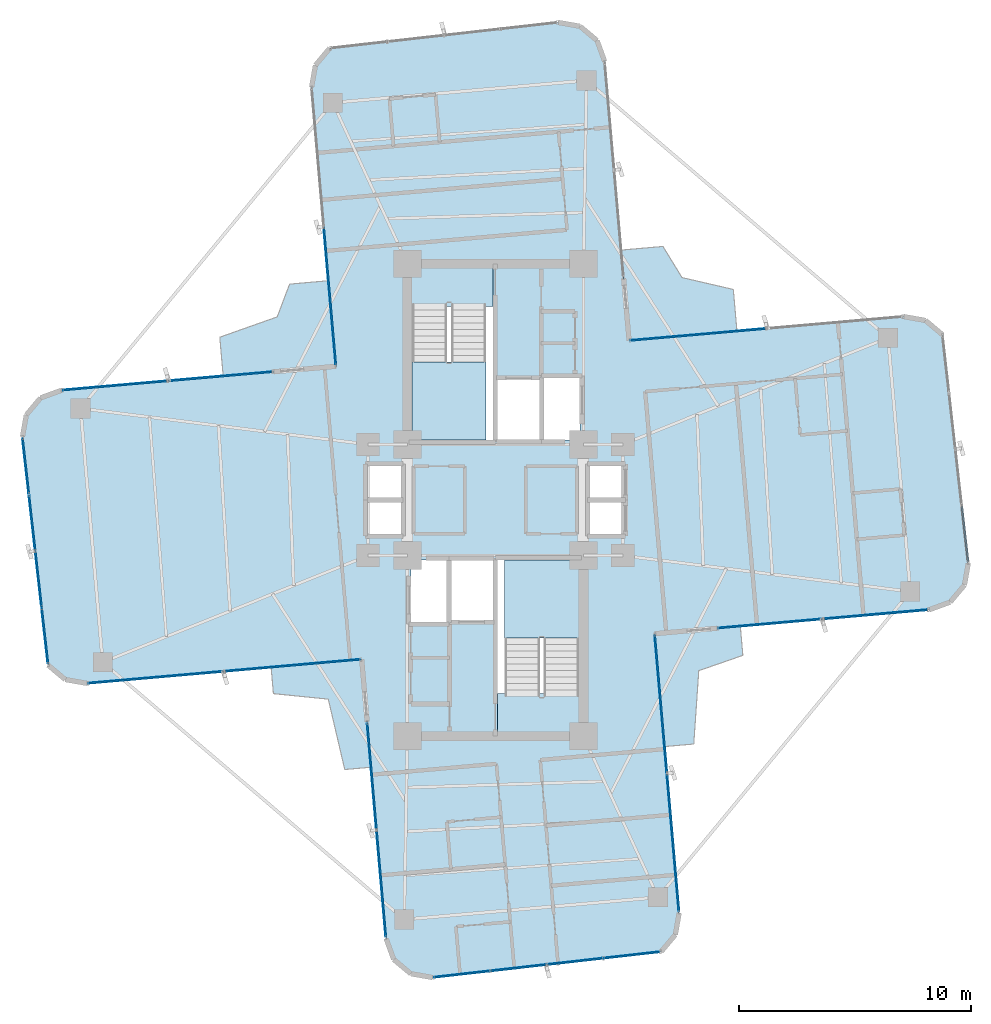
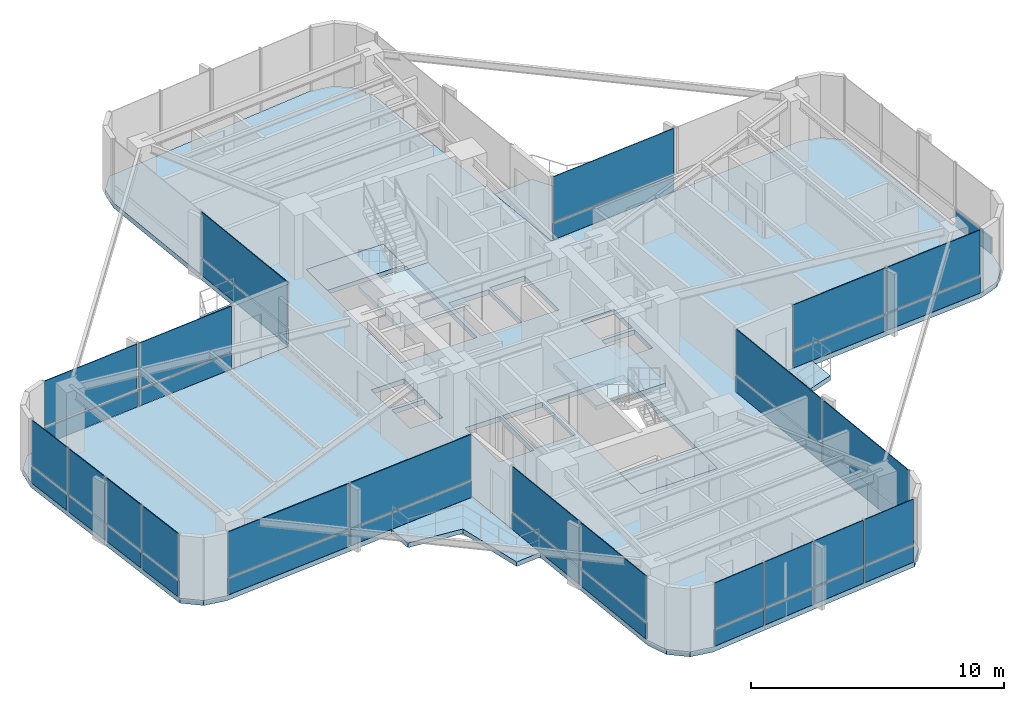
# One storey, part 19 of 24: 41 plates, 9 slabs, 12 elements without a shape of their own.
"""IFC4 building model written with IfcOpenShell, lengths in metres."""

from ifc_helpers import new_model, si_unit, direction, frame, origin, origin_2d, place, context, subcontext, project, spatial, polyline, rectangle, outline, extrude, source, transform, mapped, material, layer, layer_set, type_object, element, aggregate, save


model = new_model("IFC4")

# Units and contexts
model_context = context("Model", 3, precision=1e-05, world=origin(), true_north=direction((0.0, 1.0)))
body_context = subcontext(model_context, "Body", "Model", "MODEL_VIEW")
ifc_project = project(units=[si_unit("LENGTHUNIT", "METRE"), si_unit("AREAUNIT", "SQUARE_METRE"), si_unit("VOLUMEUNIT", "CUBIC_METRE"), si_unit("PLANEANGLEUNIT", "RADIAN"), si_unit("MASSUNIT", "GRAM", prefix="KILO")], contexts=[model_context])

# Site, building, storey
site_placement = place(None, origin())
site = spatial("IfcSite", under=ifc_project, at=site_placement, CompositionType="ELEMENT")
building_placement = place(site_placement, origin())
building = spatial("IfcBuilding", under=site, at=building_placement, Name="Sahyath Konkavel Grand Hotel", CompositionType="ELEMENT")
storey_placement = place(building_placement, frame((0.0, 0.0, 150.60009765625)))
storey = spatial("IfcBuildingStorey", under=building, at=storey_placement, Name="L41", CompositionType="ELEMENT", Elevation=150.60009765625)

# Slabs
ifc_material_1 = material(Name="Concrete C40/50", Category="concrete")
ifc_layer_1 = layer(ifc_material_1, 0.239990234375)
ifc_layer_set_1 = layer_set([ifc_layer_1], Name="Concrete C40/50")
slab_type_1 = type_object("IfcSlabType", Name="SLB-240", PredefinedType="FLOOR", material=ifc_layer_set_1)
slab_1_placement = place(storey_placement, frame((0.0, 0.0, -0.239990234375)))
element("IfcSlab", 1, at=slab_1_placement, inside=storey, type_object=slab_type_1, Name="L41 Structural Floor Slab", PredefinedType="FLOOR", context=body_context, shape_type="SweptSolid", body=[
    extrude(outline(polyline([(6.87939453125, -5.7724609375), (18.73388671875, -4.735107421875), (19.6337890625, -4.40771484375), (20.24951171875, -3.674072265625), (20.415771484375, -2.73095703125), (19.3037109375, 7.134521484375), (18.5703125, 7.75), (17.627197265625, 7.91650390625), (5.7724609375, 6.87939453125), (4.7177734375, 18.93310546875), (4.390380859375, 19.8330078125), (3.65673828125, 20.44873046875), (2.713623046875, 20.614990234375), (-7.152099609375, 19.5029296875), (-7.767578125, 18.769287109375), (-7.933837890625, 17.826416015625), (-6.87939453125, 5.7724609375), (-18.73388671875, 4.735107421875), (-19.6337890625, 4.40771484375), (-20.24951171875, 3.674072265625), (-20.415771484375, 2.73095703125), (-19.3037109375, -7.134521484375), (-18.5703125, -7.75), (-17.627197265625, -7.91650390625), (-5.7724609375, -6.87939453125), (-4.7177734375, -18.93310546875), (-4.390380859375, -19.8330078125), (-3.65673828125, -20.44873046875), (-2.713623046875, -20.614990234375), (7.152099609375, -19.5029296875), (7.767578125, -18.769287109375), (7.933837890625, -17.826416015625), (6.87939453125, -5.7724609375)]), holes=[polyline([(-3.6201171875, 2.580078125), (-0.10009765625, 2.580078125), (-0.10009765625, 10.02001953125), (-3.6201171875, 10.02001953125), (-3.6201171875, 2.580078125)]), polyline([(0.10009765625, -10.02001953125), (3.6201171875, -10.02001953125), (3.6201171875, -2.580078125), (0.10009765625, -2.580078125), (0.10009765625, -10.02001953125)]), polyline([(0.10009765625, 2.60009765625), (1.949951171875, 2.60009765625), (1.949951171875, 5.199951171875), (0.10009765625, 5.199951171875), (0.10009765625, 2.60009765625)]), polyline([(-1.949951171875, -5.199951171875), (-0.10009765625, -5.199951171875), (-0.10009765625, -2.60009765625), (-1.949951171875, -2.60009765625), (-1.949951171875, -5.199951171875)]), polyline([(2.050048828125, 2.60009765625), (3.64990234375, 2.60009765625), (3.64990234375, 5.300048828125), (2.050048828125, 5.300048828125), (2.050048828125, 2.60009765625)]), polyline([(-3.64990234375, -5.300048828125), (-2.050048828125, -5.300048828125), (-2.050048828125, -2.60009765625), (-3.64990234375, -2.60009765625), (-3.64990234375, -5.300048828125)]), polyline([(4.050048828125, 0.080078125), (5.550048828125, 0.080078125), (5.550048828125, 1.5400390625), (4.050048828125, 1.5400390625), (4.050048828125, 0.080078125)]), polyline([(4.050048828125, -1.5400390625), (5.550048828125, -1.5400390625), (5.550048828125, -0.080078125), (4.050048828125, -0.080078125), (4.050048828125, -1.5400390625)]), polyline([(-5.550048828125, 0.080078125), (-4.050048828125, 0.080078125), (-4.050048828125, 1.5400390625), (-5.550048828125, 1.5400390625), (-5.550048828125, 0.080078125)]), polyline([(-5.550048828125, -1.5400390625), (-4.050048828125, -1.5400390625), (-4.050048828125, -0.080078125), (-5.550048828125, -0.080078125), (-5.550048828125, -1.5400390625)])]), origin(), (0.0, 0.0, 1.0), 0.239990234375),
])
ifc_layer_2 = layer(ifc_material_1, 0.219970703125)
ifc_layer_set_2 = layer_set([ifc_layer_2], Name="Concrete C40/50")
slab_type_2 = type_object("IfcSlabType", Name="SLB-BALCONY-220", PredefinedType="FLOOR", material=ifc_layer_set_2)
slab_2_placement = place(storey_placement, frame((0.0, 0.0, -0.22021484375)))
element("IfcSlab", 2, at=slab_2_placement, inside=storey, type_object=slab_type_2, Name="L41 Winter-Garden Balcony NE", PredefinedType="FLOOR", context=body_context, shape_type="SweptSolid", body=[
    extrude(outline(polyline([(5.7724609375, 6.87939453125), (10.4296875, 7.28662109375), (10.271728515625, 9.08984375), (8.0576171875, 9.602783203125), (7.2333984375, 10.947021484375), (5.430419921875, 10.789306640625), (5.7724609375, 6.87939453125)])), origin(), (0.0, 0.0, 1.0), 0.22021484375),
])
slab_3_placement = place(storey_placement, frame((0.0, 0.0, -0.22021484375)))
element("IfcSlab", 3, at=slab_3_placement, inside=storey, type_object=slab_type_2, Name="L41 Winter-Garden Balcony NW", PredefinedType="FLOOR", context=body_context, shape_type="SweptSolid", body=[
    extrude(outline(polyline([(-6.87939453125, 5.7724609375), (-7.202392578125, 9.46728515625), (-8.884521484375, 9.320068359375), (-9.419677734375, 7.904052734375), (-11.898681640625, 7.028076171875), (-11.751708984375, 5.34619140625), (-6.87939453125, 5.7724609375)])), origin(), (0.0, 0.0, 1.0), 0.22021484375),
])
slab_4_placement = place(storey_placement, frame((0.0, 0.0, -0.22021484375)))
element("IfcSlab", 4, at=slab_4_placement, inside=storey, type_object=slab_type_2, Name="L41 Winter-Garden Balcony SW", PredefinedType="FLOOR", context=body_context, shape_type="SweptSolid", body=[
    extrude(outline(polyline([(-5.7724609375, -6.87939453125), (-9.6826171875, -7.221435546875), (-9.5830078125, -8.35888671875), (-7.214111328125, -8.597412109375), (-6.50244140625, -11.635986328125), (-5.364990234375, -11.53662109375), (-5.7724609375, -6.87939453125)])), origin(), (0.0, 0.0, 1.0), 0.22021484375),
])
slab_5_placement = place(storey_placement, frame((0.0, 0.0, -0.22021484375)))
element("IfcSlab", 5, at=slab_5_placement, inside=storey, type_object=slab_type_2, Name="L41 Winter-Garden Balcony SE", PredefinedType="FLOOR", context=body_context, shape_type="SweptSolid", body=[
    extrude(outline(polyline([(6.87939453125, -5.7724609375), (7.3056640625, -10.644775390625), (8.564208984375, -10.53466796875), (8.780517578125, -7.367919921875), (10.684326171875, -6.7080078125), (10.57421875, -5.44921875), (6.87939453125, -5.7724609375)])), origin(), (0.0, 0.0, 1.0), 0.22021484375),
])

# Stair, slab
stair_type = type_object("IfcStairType", Name="STR-ST16-335", PredefinedType="HALF_TURN_STAIR", material=ifc_material_1)
stair_1_placement = place(storey_placement, origin())
stair_1 = element("IfcStair", 6, at=stair_1_placement, inside=storey, type_object=stair_type, Name="L41 North Core Smokeproof Exit Stair ST-1", PredefinedType="HALF_TURN_STAIR")
ifc_layer_3 = layer(ifc_material_1, 0.199951171875)
ifc_layer_set_3 = layer_set([ifc_layer_3], Name="Concrete C40/50")
slab_type_3 = type_object("IfcSlabType", Name="SLB-STAIR-LND", PredefinedType="LANDING", material=ifc_layer_set_3)
slab_6_placement = place(storey_placement, frame((0.0, 0.0, 1.474853515625)))
slab_6 = element("IfcSlab", 7, at=slab_6_placement, type_object=slab_type_3, Name="ST-1 landing 1", PredefinedType="LANDING", context=body_context, shape_type="SweptSolid", body=[
    extrude(outline(polyline([(-3.60009765625, 5.9599609375), (-3.60009765625, 2.60009765625), (-0.39990234375, 2.60009765625), (-0.39990234375, 5.9599609375), (-3.60009765625, 5.9599609375)])), origin(), (0.0, 0.0, 1.0), 0.199951171875),
])
aggregate(stair_1, [slab_6])

stair_2_placement = place(storey_placement, origin())
stair_2 = element("IfcStair", 8, at=stair_2_placement, inside=storey, type_object=stair_type, Name="L41 South Core Smokeproof Exit Stair ST-2", PredefinedType="HALF_TURN_STAIR")
slab_7_placement = place(storey_placement, frame((0.0, 0.0, 1.474853515625)))
slab_7 = element("IfcSlab", 9, at=slab_7_placement, type_object=slab_type_3, Name="ST-2 landing 1", PredefinedType="LANDING", context=body_context, shape_type="SweptSolid", body=[
    extrude(outline(polyline([(3.60009765625, -5.9599609375), (3.60009765625, -2.60009765625), (0.39990234375, -2.60009765625), (0.39990234375, -5.9599609375), (3.60009765625, -5.9599609375)])), origin(), (0.0, 0.0, 1.0), 0.199951171875),
])
aggregate(stair_2, [slab_7])

# Slabs
slab_8_placement = place(storey_placement, frame((0.0, 0.0, -0.2001953125)))
element("IfcSlab", 10, at=slab_8_placement, inside=storey, type_object=slab_type_3, Name="L41 Stair ST-1 Floor Landing Slab", PredefinedType="LANDING", context=body_context, shape_type="SweptSolid", body=[
    extrude(outline(polyline([(-3.6201171875, 8.35009765625), (-0.10009765625, 8.35009765625), (-0.10009765625, 10.02001953125), (-3.6201171875, 10.02001953125), (-3.6201171875, 8.35009765625)])), origin(), (0.0, 0.0, 1.0), 0.2001953125),
])
slab_9_placement = place(storey_placement, frame((0.0, 0.0, -0.2001953125)))
element("IfcSlab", 11, at=slab_9_placement, inside=storey, type_object=slab_type_3, Name="L41 Stair ST-2 Floor Landing Slab", PredefinedType="LANDING", context=body_context, shape_type="SweptSolid", body=[
    extrude(outline(polyline([(0.10009765625, -10.02001953125), (3.6201171875, -10.02001953125), (3.6201171875, -8.35009765625), (0.10009765625, -8.35009765625), (0.10009765625, -10.02001953125)])), origin(), (0.0, 0.0, 1.0), 0.2001953125),
])

# Curtain wall, plates
ifc_material_2 = material(Name="Anodised Bronze Aluminium & Low-E Glazing", Category="aluminium")
curtain_wall_type = type_object("IfcCurtainWallType", Name="CW-ZONE3", PredefinedType="NOTDEFINED", material=ifc_material_2)
curtain_wall_1_placement = place(storey_placement, origin())
curtain_wall_1 = element("IfcCurtainWall", 12, at=curtain_wall_1_placement, inside=storey, type_object=curtain_wall_type, Name="L41 Unitised Curtain Wall F0", PredefinedType="NOTDEFINED")
ifc_material_3 = material(Name="Warm Buff Sandstone Cladding", Category="masonry")
ifc_layer_4 = layer(ifc_material_3, 0.074951171875)
ifc_layer_set_4 = layer_set([ifc_layer_4], Name="Warm Buff Sandstone Cladding")
plate_type_1 = type_object("IfcPlateType", Name="PNL-SPANDREL-STONE", PredefinedType="SHEET", material=ifc_layer_set_4)
shared_shape_1 = source(origin(), body_context, "Body", "SweptSolid", [
    extrude(rectangle(XDim=4.47998046875, YDim=0.074951171875, at=origin_2d()), origin(), (0.0, 0.0, 1.0), 0.77001953125),
])
plate_1_placement = place(storey_placement, frame((11.880126953125, -5.334716796875, 0.039794921875), z_axis=(0.0, 0.0, 1.0), x_axis=(0.996194698092, 0.087155742748, 0.0)))
plate_1 = element("IfcPlate", 13, at=plate_1_placement, type_object=plate_type_1, Name="L41 Sandstone Relief Spandrel Panel F0-0", PredefinedType="SHEET", context=body_context, shape_type="MappedRepresentation", body=[
    mapped(shared_shape_1, transform((0.0, 0.0, 0.0), scale=1.0)),
])
plate_2_placement = place(storey_placement, frame((16.4228515625, -4.9375, 0.039794921875), z_axis=(0.0, 0.0, 1.0), x_axis=(0.996194698092, 0.087155742748, 0.0)))
plate_2 = element("IfcPlate", 14, at=plate_2_placement, type_object=plate_type_1, Name="L41 Sandstone Relief Spandrel Panel F0-1", PredefinedType="SHEET", context=body_context, shape_type="MappedRepresentation", body=[
    mapped(shared_shape_1, transform((0.0, 0.0, 0.0), scale=1.0)),
])

curtain_wall_2_placement = place(storey_placement, origin())
curtain_wall_2 = element("IfcCurtainWall", 15, at=curtain_wall_2_placement, inside=storey, type_object=curtain_wall_type, Name="L41 Unitised Curtain Wall F16", PredefinedType="NOTDEFINED")
plate_3_placement = place(storey_placement, frame((-11.880126953125, 5.334716796875, 0.039794921875), z_axis=(0.0, 0.0, 1.0), x_axis=(-0.996194698092, -0.087155742748, 0.0)))
plate_3 = element("IfcPlate", 16, at=plate_3_placement, type_object=plate_type_1, Name="L41 Sandstone Relief Spandrel Panel F16-0", PredefinedType="SHEET", context=body_context, shape_type="MappedRepresentation", body=[
    mapped(shared_shape_1, transform((0.0, 0.0, 0.0), scale=1.0)),
])
plate_4_placement = place(storey_placement, frame((-16.4228515625, 4.9375, 0.039794921875), z_axis=(0.0, 0.0, 1.0), x_axis=(-0.996194698092, -0.087155742748, 0.0)))
plate_4 = element("IfcPlate", 17, at=plate_4_placement, type_object=plate_type_1, Name="L41 Sandstone Relief Spandrel Panel F16-1", PredefinedType="SHEET", context=body_context, shape_type="MappedRepresentation", body=[
    mapped(shared_shape_1, transform((0.0, 0.0, 0.0), scale=1.0)),
])

# Curtain wall, plate
curtain_wall_3_placement = place(storey_placement, origin())
curtain_wall_3 = element("IfcCurtainWall", 18, at=curtain_wall_3_placement, inside=storey, type_object=curtain_wall_type, Name="L41 Unitised Curtain Wall F4", PredefinedType="NOTDEFINED")
shared_shape_2 = source(origin(), body_context, "Body", "SweptSolid", [
    extrude(rectangle(XDim=2.382080078125, YDim=0.074951171875, at=origin_2d()), origin(), (0.0, 0.0, 1.0), 0.77001953125),
])
plate_5_placement = place(storey_placement, frame((20.2734375, -1.468017578125, 0.039794921875), z_axis=(0.0, 0.0, 1.0), x_axis=(-0.111989252568, 0.993709417943, 0.0)))
plate_5 = element("IfcPlate", 19, at=plate_5_placement, type_object=plate_type_1, Name="L41 Sandstone Relief Spandrel Panel F4-0", PredefinedType="SHEET", context=body_context, shape_type="MappedRepresentation", body=[
    mapped(shared_shape_2, transform((0.0, 0.0, 0.0), scale=1.0)),
])
aggregate(curtain_wall_3, [plate_5])

# Curtain wall, plates
curtain_wall_4_placement = place(storey_placement, origin())
curtain_wall_4 = element("IfcCurtainWall", 20, at=curtain_wall_4_placement, inside=storey, type_object=curtain_wall_type, Name="L41 Unitised Curtain Wall F20", PredefinedType="NOTDEFINED")
plate_6_placement = place(storey_placement, frame((-20.2734375, 1.468017578125, 0.039794921875), z_axis=(0.0, 0.0, 1.0), x_axis=(0.111989252568, -0.993709417943, 0.0)))
plate_6 = element("IfcPlate", 21, at=plate_6_placement, type_object=plate_type_1, Name="L41 Sandstone Relief Spandrel Panel F20-0", PredefinedType="SHEET", context=body_context, shape_type="MappedRepresentation", body=[
    mapped(shared_shape_2, transform((0.0, 0.0, 0.0), scale=1.0)),
])
plate_7_placement = place(storey_placement, frame((-19.99755859375, -0.978515625, 0.039794921875), z_axis=(0.0, 0.0, 1.0), x_axis=(0.111989252568, -0.993709417943, 0.0)))
plate_7 = element("IfcPlate", 22, at=plate_7_placement, type_object=plate_type_1, Name="L41 Sandstone Relief Spandrel Panel F20-1", PredefinedType="SHEET", context=body_context, shape_type="MappedRepresentation", body=[
    mapped(shared_shape_2, transform((0.0, 0.0, 0.0), scale=1.0)),
])
plate_8_placement = place(storey_placement, frame((-19.7216796875, -3.425048828125, 0.039794921875), z_axis=(0.0, 0.0, 1.0), x_axis=(0.111989252568, -0.993709417943, 0.0)))
plate_8 = element("IfcPlate", 23, at=plate_8_placement, type_object=plate_type_1, Name="L41 Sandstone Relief Spandrel Panel F20-2", PredefinedType="SHEET", context=body_context, shape_type="MappedRepresentation", body=[
    mapped(shared_shape_2, transform((0.0, 0.0, 0.0), scale=1.0)),
])
plate_9_placement = place(storey_placement, frame((-19.446044921875, -5.87158203125, 0.039794921875), z_axis=(0.0, 0.0, 1.0), x_axis=(0.111989252568, -0.993709417943, 0.0)))
plate_9 = element("IfcPlate", 24, at=plate_9_placement, type_object=plate_type_1, Name="L41 Sandstone Relief Spandrel Panel F20-3", PredefinedType="SHEET", context=body_context, shape_type="MappedRepresentation", body=[
    mapped(shared_shape_2, transform((0.0, 0.0, 0.0), scale=1.0)),
])

curtain_wall_5_placement = place(storey_placement, origin())
curtain_wall_5 = element("IfcCurtainWall", 25, at=curtain_wall_5_placement, inside=storey, type_object=curtain_wall_type, Name="L41 Unitised Curtain Wall F28", PredefinedType="NOTDEFINED")
plate_10_placement = place(storey_placement, frame((-1.45068359375, -20.47265625, 0.039794921875), z_axis=(0.0, 0.0, 1.0), x_axis=(0.993707463211, 0.112006596052, 0.0)))
plate_10 = element("IfcPlate", 26, at=plate_10_placement, type_object=plate_type_1, Name="L41 Sandstone Relief Spandrel Panel F28-0", PredefinedType="SHEET", context=body_context, shape_type="MappedRepresentation", body=[
    mapped(shared_shape_2, transform((0.0, 0.0, 0.0), scale=1.0)),
])
plate_11_placement = place(storey_placement, frame((0.995849609375, -20.197021484375, 0.039794921875), z_axis=(0.0, 0.0, 1.0), x_axis=(0.993707463211, 0.112006596052, 0.0)))
plate_11 = element("IfcPlate", 27, at=plate_11_placement, type_object=plate_type_1, Name="L41 Sandstone Relief Spandrel Panel F28-1", PredefinedType="SHEET", context=body_context, shape_type="MappedRepresentation", body=[
    mapped(shared_shape_2, transform((0.0, 0.0, 0.0), scale=1.0)),
])
plate_12_placement = place(storey_placement, frame((3.4423828125, -19.921142578125, 0.039794921875), z_axis=(0.0, 0.0, 1.0), x_axis=(0.993707463211, 0.112006596052, 0.0)))
plate_12 = element("IfcPlate", 28, at=plate_12_placement, type_object=plate_type_1, Name="L41 Sandstone Relief Spandrel Panel F28-2", PredefinedType="SHEET", context=body_context, shape_type="MappedRepresentation", body=[
    mapped(shared_shape_2, transform((0.0, 0.0, 0.0), scale=1.0)),
])
plate_13_placement = place(storey_placement, frame((5.888916015625, -19.6455078125, 0.039794921875), z_axis=(0.0, 0.0, 1.0), x_axis=(0.993707463211, 0.112006596052, 0.0)))
plate_13 = element("IfcPlate", 29, at=plate_13_placement, type_object=plate_type_1, Name="L41 Sandstone Relief Spandrel Panel F28-3", PredefinedType="SHEET", context=body_context, shape_type="MappedRepresentation", body=[
    mapped(shared_shape_2, transform((0.0, 0.0, 0.0), scale=1.0)),
])

# Curtain wall, plate
curtain_wall_6_placement = place(storey_placement, origin())
curtain_wall_6 = element("IfcCurtainWall", 30, at=curtain_wall_6_placement, inside=storey, type_object=curtain_wall_type, Name="L41 Unitised Curtain Wall F7", PredefinedType="NOTDEFINED")
shared_shape_3 = source(origin(), body_context, "Body", "SweptSolid", [
    extrude(rectangle(XDim=5.830078125, YDim=0.074951171875, at=origin_2d()), origin(), (0.0, 0.0, 1.0), 0.77001953125),
])
plate_14_placement = place(storey_placement, frame((8.756103515625, 7.140380859375, 0.039794921875), z_axis=(0.0, 0.0, 1.0), x_axis=(-0.996194698092, -0.087155742748, 0.0)))
plate_14 = element("IfcPlate", 31, at=plate_14_placement, type_object=plate_type_1, Name="L41 Sandstone Relief Spandrel Panel F7-1", PredefinedType="SHEET", context=body_context, shape_type="MappedRepresentation", body=[
    mapped(shared_shape_3, transform((0.0, 0.0, 0.0), scale=1.0)),
])

# Curtain wall, plates
curtain_wall_7_placement = place(storey_placement, origin())
curtain_wall_7 = element("IfcCurtainWall", 32, at=curtain_wall_7_placement, inside=storey, type_object=curtain_wall_type, Name="L41 Unitised Curtain Wall F23", PredefinedType="NOTDEFINED")
plate_15_placement = place(storey_placement, frame((-14.6435546875, -7.655517578125, 0.039794921875), z_axis=(0.0, 0.0, 1.0), x_axis=(0.996194698092, 0.087155742748, 0.0)))
plate_15 = element("IfcPlate", 33, at=plate_15_placement, type_object=plate_type_1, Name="L41 Sandstone Relief Spandrel Panel F23-0", PredefinedType="SHEET", context=body_context, shape_type="MappedRepresentation", body=[
    mapped(shared_shape_3, transform((0.0, 0.0, 0.0), scale=1.0)),
])
plate_16_placement = place(storey_placement, frame((-8.756103515625, -7.140380859375, 0.039794921875), z_axis=(0.0, 0.0, 1.0), x_axis=(0.996194698092, 0.087155742748, 0.0)))
plate_16 = element("IfcPlate", 34, at=plate_16_placement, type_object=plate_type_1, Name="L41 Sandstone Relief Spandrel Panel F23-1", PredefinedType="SHEET", context=body_context, shape_type="MappedRepresentation", body=[
    mapped(shared_shape_3, transform((0.0, 0.0, 0.0), scale=1.0)),
])

curtain_wall_8_placement = place(storey_placement, origin())
curtain_wall_8 = element("IfcCurtainWall", 35, at=curtain_wall_8_placement, inside=storey, type_object=curtain_wall_type, Name="L41 Unitised Curtain Wall F24", PredefinedType="NOTDEFINED")
shared_shape_4 = source(origin(), body_context, "Body", "SweptSolid", [
    extrude(rectangle(XDim=4.580078125, YDim=0.074951171875, at=origin_2d()), origin(), (0.0, 0.0, 1.0), 0.77001953125),
])
plate_17_placement = place(storey_placement, frame((-5.33056640625, -11.929931640625, 0.039794921875), z_axis=(0.0, 0.0, 1.0), x_axis=(0.087155742748, -0.996194698092, 0.0)))
plate_17 = element("IfcPlate", 36, at=plate_17_placement, type_object=plate_type_1, Name="L41 Sandstone Relief Spandrel Panel F24-0", PredefinedType="SHEET", context=body_context, shape_type="MappedRepresentation", body=[
    mapped(shared_shape_4, transform((0.0, 0.0, 0.0), scale=1.0)),
])
plate_18_placement = place(storey_placement, frame((-4.92431640625, -16.572265625, 0.039794921875), z_axis=(0.0, 0.0, 1.0), x_axis=(0.087155742748, -0.996194698092, 0.0)))
plate_18 = element("IfcPlate", 37, at=plate_18_placement, type_object=plate_type_1, Name="L41 Sandstone Relief Spandrel Panel F24-1", PredefinedType="SHEET", context=body_context, shape_type="MappedRepresentation", body=[
    mapped(shared_shape_4, transform((0.0, 0.0, 0.0), scale=1.0)),
])

# Curtain wall, plate
curtain_wall_9_placement = place(storey_placement, origin())
curtain_wall_9 = element("IfcCurtainWall", 38, at=curtain_wall_9_placement, inside=storey, type_object=curtain_wall_type, Name="L41 Unitised Curtain Wall F15", PredefinedType="NOTDEFINED")
shared_shape_5 = source(origin(), body_context, "Body", "SweptSolid", [
    extrude(rectangle(XDim=5.929931640625, YDim=0.074951171875, at=origin_2d()), origin(), (0.0, 0.0, 1.0), 0.77001953125),
])
plate_19_placement = place(storey_placement, frame((-7.144775390625, 8.805908203125, 0.039794921875), z_axis=(0.0, 0.0, 1.0), x_axis=(0.087155742748, -0.996194698092, 0.0)))
plate_19 = element("IfcPlate", 39, at=plate_19_placement, type_object=plate_type_1, Name="L41 Sandstone Relief Spandrel Panel F15-1", PredefinedType="SHEET", context=body_context, shape_type="MappedRepresentation", body=[
    mapped(shared_shape_5, transform((0.0, 0.0, 0.0), scale=1.0)),
])

# Curtain wall, plates
curtain_wall_10_placement = place(storey_placement, origin())
curtain_wall_10 = element("IfcCurtainWall", 40, at=curtain_wall_10_placement, inside=storey, type_object=curtain_wall_type, Name="L41 Unitised Curtain Wall F31", PredefinedType="NOTDEFINED")
plate_20_placement = place(storey_placement, frame((7.66845703125, -14.79296875, 0.039794921875), z_axis=(0.0, 0.0, 1.0), x_axis=(-0.087155742748, 0.996194698092, 0.0)))
plate_20 = element("IfcPlate", 41, at=plate_20_placement, type_object=plate_type_1, Name="L41 Sandstone Relief Spandrel Panel F31-0", PredefinedType="SHEET", context=body_context, shape_type="MappedRepresentation", body=[
    mapped(shared_shape_5, transform((0.0, 0.0, 0.0), scale=1.0)),
])
plate_21_placement = place(storey_placement, frame((7.144775390625, -8.805908203125, 0.039794921875), z_axis=(0.0, 0.0, 1.0), x_axis=(-0.087155742748, 0.996194698092, 0.0)))
plate_21 = element("IfcPlate", 42, at=plate_21_placement, type_object=plate_type_1, Name="L41 Sandstone Relief Spandrel Panel F31-1", PredefinedType="SHEET", context=body_context, shape_type="MappedRepresentation", body=[
    mapped(shared_shape_5, transform((0.0, 0.0, 0.0), scale=1.0)),
])

# Plate
ifc_material_4 = material(Name="Low-E Solar Control Double Glazing", Category="glass")
ifc_layer_5 = layer(ifc_material_4, 0.035888671875)
ifc_layer_set_5 = layer_set([ifc_layer_5], Name="Low-E Solar Control Double Glazing")
plate_type_2 = type_object("IfcPlateType", Name="PNL-VISION-LOWE", PredefinedType="CURTAIN_PANEL", material=ifc_layer_set_5)
shared_shape_6 = source(origin(), body_context, "Body", "SweptSolid", [
    extrude(rectangle(XDim=4.47998046875, YDim=0.035888671875, at=origin_2d()), origin(), (0.0, 0.0, 1.0), 2.179931640625),
])
plate_22_placement = place(storey_placement, frame((11.880126953125, -5.334716796875, 0.89013671875), z_axis=(0.0, 0.0, 1.0), x_axis=(0.996194698092, 0.087155742748, 0.0)))
plate_22 = element("IfcPlate", 43, at=plate_22_placement, type_object=plate_type_2, Name="L41 Low-E Vision Glazing Panel F0-0", PredefinedType="CURTAIN_PANEL", context=body_context, shape_type="MappedRepresentation", body=[
    mapped(shared_shape_6, transform((0.0, 0.0, 0.0), scale=1.0)),
])

plate_23_placement = place(storey_placement, frame((16.4228515625, -4.9375, 0.89013671875), z_axis=(0.0, 0.0, 1.0), x_axis=(0.996194698092, 0.087155742748, 0.0)))
plate_23 = element("IfcPlate", 44, at=plate_23_placement, type_object=plate_type_2, Name="L41 Low-E Vision Glazing Panel F0-1", PredefinedType="CURTAIN_PANEL", context=body_context, shape_type="MappedRepresentation", body=[
    mapped(shared_shape_6, transform((0.0, 0.0, 0.0), scale=1.0)),
])

aggregate(curtain_wall_1, [plate_1, plate_22, plate_2, plate_23])

plate_24_placement = place(storey_placement, frame((-11.880126953125, 5.334716796875, 0.89013671875), z_axis=(0.0, 0.0, 1.0), x_axis=(-0.996194698092, -0.087155742748, 0.0)))
plate_24 = element("IfcPlate", 45, at=plate_24_placement, type_object=plate_type_2, Name="L41 Low-E Vision Glazing Panel F16-0", PredefinedType="CURTAIN_PANEL", context=body_context, shape_type="MappedRepresentation", body=[
    mapped(shared_shape_6, transform((0.0, 0.0, 0.0), scale=1.0)),
])

plate_25_placement = place(storey_placement, frame((-16.4228515625, 4.9375, 0.89013671875), z_axis=(0.0, 0.0, 1.0), x_axis=(-0.996194698092, -0.087155742748, 0.0)))
plate_25 = element("IfcPlate", 46, at=plate_25_placement, type_object=plate_type_2, Name="L41 Low-E Vision Glazing Panel F16-1", PredefinedType="CURTAIN_PANEL", context=body_context, shape_type="MappedRepresentation", body=[
    mapped(shared_shape_6, transform((0.0, 0.0, 0.0), scale=1.0)),
])

aggregate(curtain_wall_2, [plate_3, plate_24, plate_4, plate_25])

shared_shape_7 = source(origin(), body_context, "Body", "SweptSolid", [
    extrude(rectangle(XDim=2.382080078125, YDim=0.035888671875, at=origin_2d()), origin(), (0.0, 0.0, 1.0), 2.179931640625),
])
plate_26_placement = place(storey_placement, frame((-20.2734375, 1.468017578125, 0.89013671875), z_axis=(0.0, 0.0, 1.0), x_axis=(0.111989252568, -0.993709417943, 0.0)))
plate_26 = element("IfcPlate", 47, at=plate_26_placement, type_object=plate_type_2, Name="L41 Low-E Vision Glazing Panel F20-0", PredefinedType="CURTAIN_PANEL", context=body_context, shape_type="MappedRepresentation", body=[
    mapped(shared_shape_7, transform((0.0, 0.0, 0.0), scale=1.0)),
])

plate_27_placement = place(storey_placement, frame((-19.99755859375, -0.978515625, 0.89013671875), z_axis=(0.0, 0.0, 1.0), x_axis=(0.111989252568, -0.993709417943, 0.0)))
plate_27 = element("IfcPlate", 48, at=plate_27_placement, type_object=plate_type_2, Name="L41 Low-E Vision Glazing Panel F20-1", PredefinedType="CURTAIN_PANEL", context=body_context, shape_type="MappedRepresentation", body=[
    mapped(shared_shape_7, transform((0.0, 0.0, 0.0), scale=1.0)),
])

plate_28_placement = place(storey_placement, frame((-19.7216796875, -3.425048828125, 0.89013671875), z_axis=(0.0, 0.0, 1.0), x_axis=(0.111989252568, -0.993709417943, 0.0)))
plate_28 = element("IfcPlate", 49, at=plate_28_placement, type_object=plate_type_2, Name="L41 Low-E Vision Glazing Panel F20-2", PredefinedType="CURTAIN_PANEL", context=body_context, shape_type="MappedRepresentation", body=[
    mapped(shared_shape_7, transform((0.0, 0.0, 0.0), scale=1.0)),
])

plate_29_placement = place(storey_placement, frame((-19.446044921875, -5.87158203125, 0.89013671875), z_axis=(0.0, 0.0, 1.0), x_axis=(0.111989252568, -0.993709417943, 0.0)))
plate_29 = element("IfcPlate", 50, at=plate_29_placement, type_object=plate_type_2, Name="L41 Low-E Vision Glazing Panel F20-3", PredefinedType="CURTAIN_PANEL", context=body_context, shape_type="MappedRepresentation", body=[
    mapped(shared_shape_7, transform((0.0, 0.0, 0.0), scale=1.0)),
])

aggregate(curtain_wall_4, [plate_6, plate_26, plate_7, plate_27, plate_8, plate_28, plate_9, plate_29])

plate_30_placement = place(storey_placement, frame((-1.45068359375, -20.47265625, 0.89013671875), z_axis=(0.0, 0.0, 1.0), x_axis=(0.993707463211, 0.112006596052, 0.0)))
plate_30 = element("IfcPlate", 51, at=plate_30_placement, type_object=plate_type_2, Name="L41 Low-E Vision Glazing Panel F28-0", PredefinedType="CURTAIN_PANEL", context=body_context, shape_type="MappedRepresentation", body=[
    mapped(shared_shape_7, transform((0.0, 0.0, 0.0), scale=1.0)),
])

plate_31_placement = place(storey_placement, frame((0.995849609375, -20.197021484375, 0.89013671875), z_axis=(0.0, 0.0, 1.0), x_axis=(0.993707463211, 0.112006596052, 0.0)))
plate_31 = element("IfcPlate", 52, at=plate_31_placement, type_object=plate_type_2, Name="L41 Low-E Vision Glazing Panel F28-1", PredefinedType="CURTAIN_PANEL", context=body_context, shape_type="MappedRepresentation", body=[
    mapped(shared_shape_7, transform((0.0, 0.0, 0.0), scale=1.0)),
])

plate_32_placement = place(storey_placement, frame((3.4423828125, -19.921142578125, 0.89013671875), z_axis=(0.0, 0.0, 1.0), x_axis=(0.993707463211, 0.112006596052, 0.0)))
plate_32 = element("IfcPlate", 53, at=plate_32_placement, type_object=plate_type_2, Name="L41 Low-E Vision Glazing Panel F28-2", PredefinedType="CURTAIN_PANEL", context=body_context, shape_type="MappedRepresentation", body=[
    mapped(shared_shape_7, transform((0.0, 0.0, 0.0), scale=1.0)),
])

plate_33_placement = place(storey_placement, frame((5.888916015625, -19.6455078125, 0.89013671875), z_axis=(0.0, 0.0, 1.0), x_axis=(0.993707463211, 0.112006596052, 0.0)))
plate_33 = element("IfcPlate", 54, at=plate_33_placement, type_object=plate_type_2, Name="L41 Low-E Vision Glazing Panel F28-3", PredefinedType="CURTAIN_PANEL", context=body_context, shape_type="MappedRepresentation", body=[
    mapped(shared_shape_7, transform((0.0, 0.0, 0.0), scale=1.0)),
])

aggregate(curtain_wall_5, [plate_10, plate_30, plate_11, plate_31, plate_12, plate_32, plate_13, plate_33])

shared_shape_8 = source(origin(), body_context, "Body", "SweptSolid", [
    extrude(rectangle(XDim=5.830078125, YDim=0.035888671875, at=origin_2d()), origin(), (0.0, 0.0, 1.0), 2.179931640625),
])
plate_34_placement = place(storey_placement, frame((8.756103515625, 7.140380859375, 0.89013671875), z_axis=(0.0, 0.0, 1.0), x_axis=(-0.996194698092, -0.087155742748, 0.0)))
plate_34 = element("IfcPlate", 55, at=plate_34_placement, type_object=plate_type_2, Name="L41 Low-E Vision Glazing Panel F7-1", PredefinedType="CURTAIN_PANEL", context=body_context, shape_type="MappedRepresentation", body=[
    mapped(shared_shape_8, transform((0.0, 0.0, 0.0), scale=1.0)),
])

aggregate(curtain_wall_6, [plate_14, plate_34])

plate_35_placement = place(storey_placement, frame((-14.6435546875, -7.655517578125, 0.89013671875), z_axis=(0.0, 0.0, 1.0), x_axis=(0.996194698092, 0.087155742748, 0.0)))
plate_35 = element("IfcPlate", 56, at=plate_35_placement, type_object=plate_type_2, Name="L41 Low-E Vision Glazing Panel F23-0", PredefinedType="CURTAIN_PANEL", context=body_context, shape_type="MappedRepresentation", body=[
    mapped(shared_shape_8, transform((0.0, 0.0, 0.0), scale=1.0)),
])

plate_36_placement = place(storey_placement, frame((-8.756103515625, -7.140380859375, 0.89013671875), z_axis=(0.0, 0.0, 1.0), x_axis=(0.996194698092, 0.087155742748, 0.0)))
plate_36 = element("IfcPlate", 57, at=plate_36_placement, type_object=plate_type_2, Name="L41 Low-E Vision Glazing Panel F23-1", PredefinedType="CURTAIN_PANEL", context=body_context, shape_type="MappedRepresentation", body=[
    mapped(shared_shape_8, transform((0.0, 0.0, 0.0), scale=1.0)),
])

aggregate(curtain_wall_7, [plate_15, plate_35, plate_16, plate_36])

shared_shape_9 = source(origin(), body_context, "Body", "SweptSolid", [
    extrude(rectangle(XDim=4.580078125, YDim=0.035888671875, at=origin_2d()), origin(), (0.0, 0.0, 1.0), 2.179931640625),
])
plate_37_placement = place(storey_placement, frame((-5.33056640625, -11.929931640625, 0.89013671875), z_axis=(0.0, 0.0, 1.0), x_axis=(0.087155742748, -0.996194698092, 0.0)))
plate_37 = element("IfcPlate", 58, at=plate_37_placement, type_object=plate_type_2, Name="L41 Low-E Vision Glazing Panel F24-0", PredefinedType="CURTAIN_PANEL", context=body_context, shape_type="MappedRepresentation", body=[
    mapped(shared_shape_9, transform((0.0, 0.0, 0.0), scale=1.0)),
])

plate_38_placement = place(storey_placement, frame((-4.92431640625, -16.572265625, 0.89013671875), z_axis=(0.0, 0.0, 1.0), x_axis=(0.087155742748, -0.996194698092, 0.0)))
plate_38 = element("IfcPlate", 59, at=plate_38_placement, type_object=plate_type_2, Name="L41 Low-E Vision Glazing Panel F24-1", PredefinedType="CURTAIN_PANEL", context=body_context, shape_type="MappedRepresentation", body=[
    mapped(shared_shape_9, transform((0.0, 0.0, 0.0), scale=1.0)),
])

aggregate(curtain_wall_8, [plate_17, plate_37, plate_18, plate_38])

shared_shape_10 = source(origin(), body_context, "Body", "SweptSolid", [
    extrude(rectangle(XDim=5.929931640625, YDim=0.035888671875, at=origin_2d()), origin(), (0.0, 0.0, 1.0), 2.179931640625),
])
plate_39_placement = place(storey_placement, frame((-7.144775390625, 8.805908203125, 0.89013671875), z_axis=(0.0, 0.0, 1.0), x_axis=(0.087155742748, -0.996194698092, 0.0)))
plate_39 = element("IfcPlate", 60, at=plate_39_placement, type_object=plate_type_2, Name="L41 Low-E Vision Glazing Panel F15-1", PredefinedType="CURTAIN_PANEL", context=body_context, shape_type="MappedRepresentation", body=[
    mapped(shared_shape_10, transform((0.0, 0.0, 0.0), scale=1.0)),
])

aggregate(curtain_wall_9, [plate_19, plate_39])

plate_40_placement = place(storey_placement, frame((7.66845703125, -14.79296875, 0.89013671875), z_axis=(0.0, 0.0, 1.0), x_axis=(-0.087155742748, 0.996194698092, 0.0)))
plate_40 = element("IfcPlate", 61, at=plate_40_placement, type_object=plate_type_2, Name="L41 Low-E Vision Glazing Panel F31-0", PredefinedType="CURTAIN_PANEL", context=body_context, shape_type="MappedRepresentation", body=[
    mapped(shared_shape_10, transform((0.0, 0.0, 0.0), scale=1.0)),
])

plate_41_placement = place(storey_placement, frame((7.144775390625, -8.805908203125, 0.89013671875), z_axis=(0.0, 0.0, 1.0), x_axis=(-0.087155742748, 0.996194698092, 0.0)))
plate_41 = element("IfcPlate", 62, at=plate_41_placement, type_object=plate_type_2, Name="L41 Low-E Vision Glazing Panel F31-1", PredefinedType="CURTAIN_PANEL", context=body_context, shape_type="MappedRepresentation", body=[
    mapped(shared_shape_10, transform((0.0, 0.0, 0.0), scale=1.0)),
])

aggregate(curtain_wall_10, [plate_20, plate_40, plate_21, plate_41])

save(model, "model.ifc")
